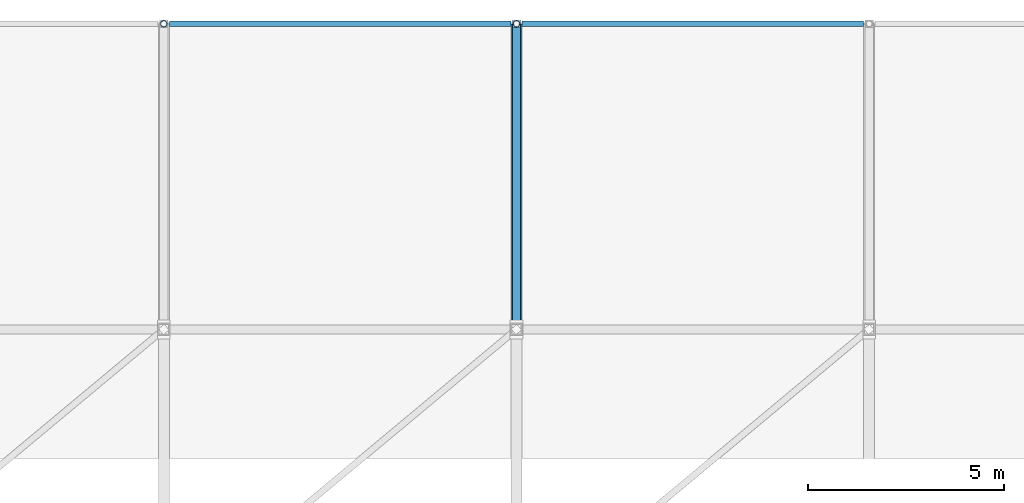
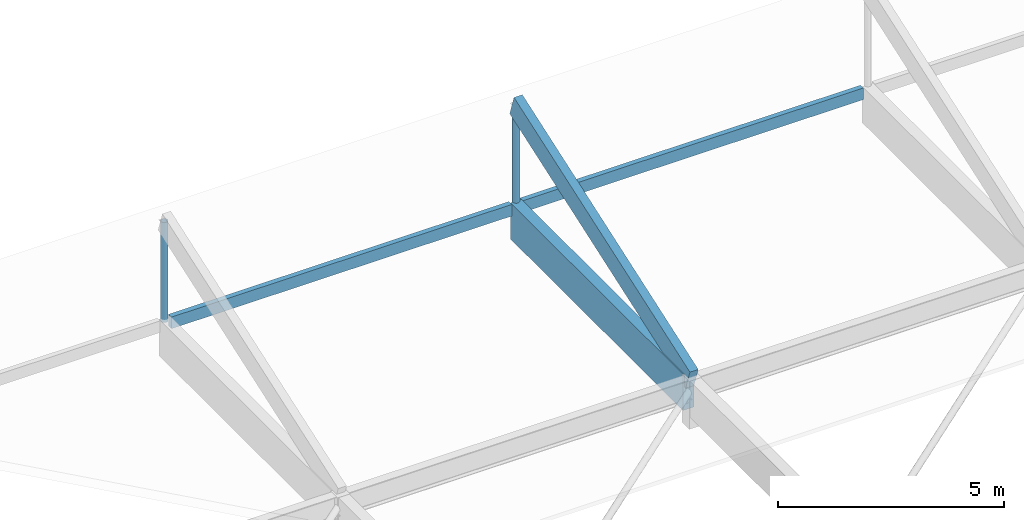
# One storey, part 10 of 19: 3 beams, 3 members.
"""IFC4 building model written with IfcOpenShell, lengths in metres."""

from ifc_helpers import new_model, si_unit, direction, frame, origin, origin_2d, place, context, subcontext, project, spatial, rectangle, hollow_circle, extrude, material, material_profile, profile_set, type_object, element, save


model = new_model("IFC4")

# Units and contexts
model_context = context("Model", 3, precision=1e-05, world=origin(), true_north=direction((0.0, 1.0)))
body_context = subcontext(model_context, "Body", "Model", "MODEL_VIEW")
ifc_project = project(units=[si_unit("LENGTHUNIT", "METRE"), si_unit("AREAUNIT", "SQUARE_METRE"), si_unit("VOLUMEUNIT", "CUBIC_METRE"), si_unit("PLANEANGLEUNIT", "RADIAN"), si_unit("MASSUNIT", "GRAM", prefix="KILO")], contexts=[model_context])

# Site, building, storey
site_placement = place(None, origin())
site = spatial("IfcSite", under=ifc_project, at=site_placement, CompositionType="ELEMENT")
building_placement = place(site_placement, origin())
building = spatial("IfcBuilding", under=site, at=building_placement, Name="Marnridge Secondary College", CompositionType="ELEMENT")
storey_placement = place(building_placement, frame((0.0, 0.0, 23.699951171875)))
storey = spatial("IfcBuildingStorey", under=building, at=storey_placement, Name="Roof Level", CompositionType="ELEMENT", Elevation=23.699951171875)

# Beams
ifc_material_1 = material(Name="Glulam timber GL18", Category="wood")
ifc_material_profile_1 = material_profile(ifc_material_1, rectangle(XDim=0.1298828125, YDim=0.31494140625, at=origin_2d()), Name="GL18 130x315")
ifc_profile_set_1 = profile_set([ifc_material_profile_1], Name="Glulam timber GL18")
beam_type_1 = type_object("IfcBeamType", Name="BM-GL315-EXT", PredefinedType="BEAM", material=ifc_profile_set_1)
for number, where, z_axis, x_axis, name in (
    (1, (63.14501953125, 75.300048828125, 1.142578125), (1.0, 0.0, 0.0), (0.0, 1.0, 0.0), "Beam BCAN-Roo-1510"),
    (2, (72.14501953125, 75.300048828125, 1.142578125), (1.0, 0.0, 0.0), (0.0, 1.0, 0.0), "Beam BCAN-Roo-1511"),
):
    element("IfcBeam", number, at=place(storey_placement, frame(where, z_axis=z_axis, x_axis=x_axis)), inside=storey, type_object=beam_type_1, Name=name, PredefinedType="BEAM", context=body_context, shape_type="SweptSolid", body=[
        extrude(rectangle(XDim=0.1298828125, YDim=0.31494140625, at=origin_2d()), origin(), (0.0, 0.0, 1.0), 8.7099609375),
    ])
ifc_material_2 = material(Name="Glulam timber GL18", Category="wood")
ifc_material_profile_2 = material_profile(ifc_material_2, rectangle(XDim=0.280029296875, YDim=0.97998046875, at=origin_2d()), Name="GL18 280x980")
ifc_profile_set_2 = profile_set([ifc_material_profile_2], Name="Glulam timber GL18")
beam_type_2 = type_object("IfcBeamType", Name="BM-GL980-EXT", PredefinedType="BEAM", material=ifc_profile_set_2)
beam_placement = place(storey_placement, frame((72.0, 67.651611328125, 0.81005859375), z_axis=(0.0, 1.0, 0.0), x_axis=(-1.0, 0.0, 0.0)))
element("IfcBeam", 3, at=beam_placement, inside=storey, type_object=beam_type_2, Name="Beam BCAN-Roo-1494", PredefinedType="BEAM", context=body_context, shape_type="SweptSolid", body=[
    extrude(rectangle(XDim=0.280029296875, YDim=0.97998046875, at=origin_2d()), origin(), (0.0, 0.0, 1.0), 7.6484375),
])

# Members
ifc_material_3 = material(Name="Cold-formed steel Grade C350L0 (AS/NZS 1163, fy = 350 MPa)", Category="steel")
ifc_material_profile_3 = material_profile(ifc_material_3, hollow_circle(Radius=0.084228515625, WallThickness=0.00634765625, at=origin_2d()), Name="168.3x6.4CHS")
ifc_profile_set_3 = profile_set([ifc_material_profile_3], Name="Cold-formed steel Grade C350L0 (AS/NZS 1163, fy = 350 MPa)")
member_type_1 = type_object("IfcMemberType", Name="MB-BR-CHS168E", PredefinedType="BRACE", material=ifc_profile_set_3)
for number, where, z_axis, x_axis, name in (
    (4, (63.0, 75.300048828125, 1.219970703125), (0.0, 0.0, 1.0), (1.0, 0.0, 0.0), "Canopy eave web strut MCAN-004"),
    (5, (72.0, 75.300048828125, 1.219970703125), (0.0, 0.0, 1.0), (1.0, 0.0, 0.0), "Canopy eave web strut MCAN-006"),
):
    element("IfcMember", number, at=place(storey_placement, frame(where, z_axis=z_axis, x_axis=x_axis)), inside=storey, type_object=member_type_1, Name=name, PredefinedType="BRACE", context=body_context, shape_type="SweptSolid", body=[
        extrude(hollow_circle(Radius=0.084228515625, WallThickness=0.00634765625, at=origin_2d()), origin(), (0.0, 0.0, 1.0), 2.705078125),
    ])
ifc_material_4 = material(Name="Glulam timber GL18", Category="wood")
ifc_material_profile_4 = material_profile(ifc_material_4, rectangle(XDim=0.215087890625, YDim=0.5849609375, at=origin_2d()), Name="GL18 215x585")
ifc_profile_set_4 = profile_set([ifc_material_profile_4], Name="Glulam timber GL18")
member_type_2 = type_object("IfcMemberType", Name="MB-GS-GL585", PredefinedType="CHORD", material=ifc_profile_set_4)
member_placement = place(storey_placement, frame((72.0, 67.5, 1.219970703125), z_axis=(0.0, 0.944796411745, 0.327657962444), x_axis=(-1.0, 0.0, 0.0)))
element("IfcMember", 6, at=member_placement, inside=storey, type_object=member_type_2, Name="Canopy overhang truss chord MCR-006", PredefinedType="CHORD", context=body_context, shape_type="SweptSolid", body=[
    extrude(rectangle(XDim=0.215087890625, YDim=0.5849609375, at=origin_2d()), origin(), (0.0, 0.0, 1.0), 8.255859375),
])

save(model, "model.ifc")
